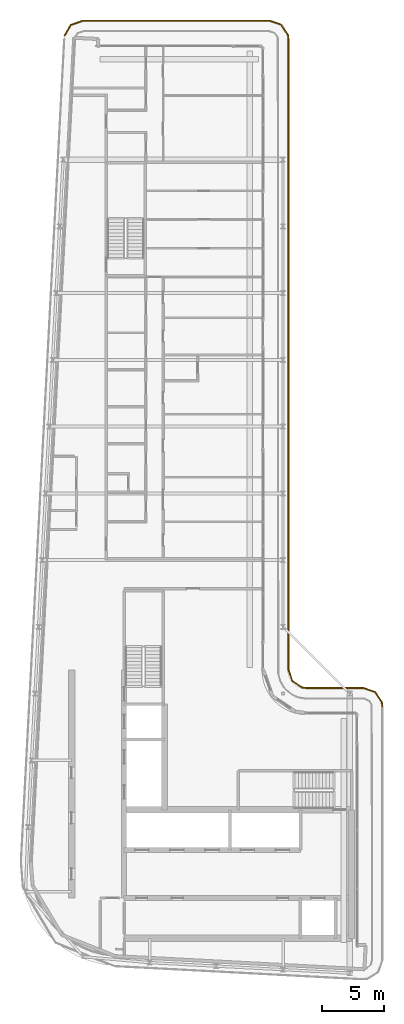
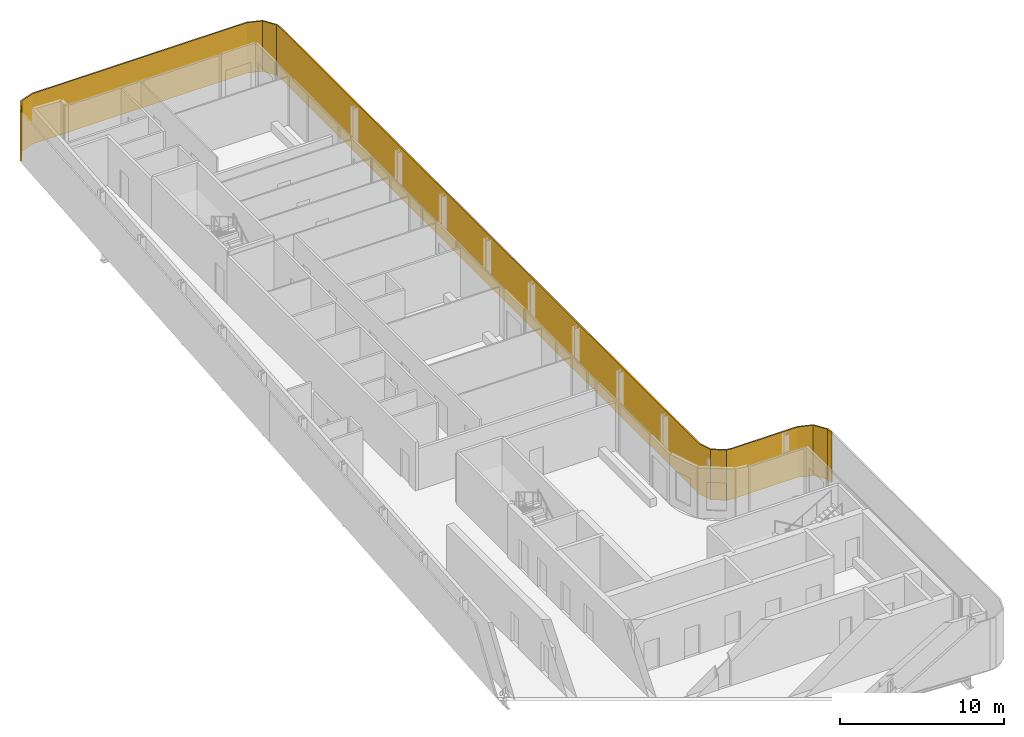
# One storey, part 17 of 18: 1 shading device.
"""IFC4 building model written with IfcOpenShell, lengths in metres."""

import ifcopenshell
import ifcopenshell.guid

model = None  # the IFC model being written
_history = None  # IfcOwnerHistory: only IFC2X3 demands one
_inside = {}  # id of a spatial element -> (the spatial element, [elements in it])
_under = {}  # id of a project, library or spatial element -> (it, [spatial elements below it])
_declared = {}  # id of a project -> (the project, [libraries it declares])
_typed = {}  # id of a type object -> (the type object, [elements of that type])
_made_of = {}  # id of a material, layer set ... -> (it, [elements and type objects made of it])


def new_model(schema):
    """Start an empty IFC model of exactly this schema.

    Asked for "IFC4X3", IfcOpenShell would pick the latest addendum, in which some entities
    have other attributes; the version numbers below select the first issue.
    IFC2X3 requires an IfcOwnerHistory on every rooted entity: one is made here for all.
    """
    global model, _history
    if schema == "IFC4X3":
        model = ifcopenshell.file(schema_version=(4, 3, 0, 0))
    else:
        model = ifcopenshell.file(schema=schema)
    _inside.clear()
    _under.clear()
    _declared.clear()
    _typed.clear()
    _made_of.clear()
    _history = None
    if model.schema == "IFC2X3":
        org = make("IfcOrganization", Name="unknown")
        user = make(
            "IfcPersonAndOrganization",
            ThePerson=make("IfcPerson", FamilyName="unknown"),
            TheOrganization=org,
        )
        app = make(
            "IfcApplication",
            ApplicationDeveloper=org,
            Version="unknown",
            ApplicationFullName="unknown",
            ApplicationIdentifier="unknown",
        )
        _history = make(
            "IfcOwnerHistory",
            OwningUser=user,
            OwningApplication=app,
            ChangeAction="ADDED",
            CreationDate=0,
        )
    return model


def make(cls, **values):
    """One entity of the class cls with the attributes given. An attribute that is None is left unset."""
    return model.create_entity(
        cls, **{name: value for name, value in values.items() if value is not None}
    )


def rooted(cls, **values):
    """An entity with a GlobalId (a new one), such as an element, a storey or a relation."""
    return make(cls, GlobalId=ifcopenshell.guid.new(), OwnerHistory=_history, **values)


def si_unit(unit_type, name, prefix=None):
    """IfcSIUnit, for example si_unit("LENGTHUNIT", "METRE", prefix="MILLI")."""
    return make("IfcSIUnit", UnitType=unit_type, Prefix=prefix, Name=name)


def assignment(units):
    """IfcUnitAssignment: the units of a project."""
    return None if units is None else make("IfcUnitAssignment", Units=units)


def point(xyz):
    """IfcCartesianPoint."""
    return None if xyz is None else make("IfcCartesianPoint", Coordinates=xyz)


def direction(xyz):
    """IfcDirection."""
    return None if xyz is None else make("IfcDirection", DirectionRatios=xyz)


def frame(location, z_axis=None, x_axis=None):
    """IfcAxis2Placement3D, a coordinate frame: its origin and axes. An axis left out is left unset."""
    return make(
        "IfcAxis2Placement3D",
        Location=point(location),
        Axis=direction(z_axis),
        RefDirection=direction(x_axis),
    )


def origin():
    """The frame at (0, 0, 0) with its axes left unset."""
    return frame((0.0, 0.0, 0.0))


def place(relative_to, where):
    """IfcLocalPlacement: puts the frame where relative to a parent placement (None: the world)."""
    return make(
        "IfcLocalPlacement", PlacementRelTo=relative_to, RelativePlacement=where
    )


def context(
    kind, dimensions, precision=None, world=None, true_north=None, identifier=None
):
    """IfcGeometricRepresentationContext, for example the 3D "Model" context."""
    return make(
        "IfcGeometricRepresentationContext",
        ContextIdentifier=identifier,
        ContextType=kind,
        CoordinateSpaceDimension=dimensions,
        Precision=precision,
        WorldCoordinateSystem=world,
        TrueNorth=true_north,
    )


def subcontext(parent, identifier, kind, view, scale=None):
    """IfcGeometricRepresentationSubContext, for example "Body" below "Model"."""
    return make(
        "IfcGeometricRepresentationSubContext",
        ContextIdentifier=identifier,
        ContextType=kind,
        ParentContext=parent,
        TargetScale=scale,
        TargetView=view,
    )


def project(units=None, contexts=None):
    """IfcProject with its units and contexts."""
    return rooted(
        "IfcProject",
        Name="project",
        RepresentationContexts=contexts,
        UnitsInContext=assignment(units),
    )


def spatial(cls, under=None, at=None, **own):
    """A site, building, storey or space (cls), placed at a placement, below another one or the project."""
    s = rooted(cls, ObjectPlacement=at, **own)
    if under is not None:
        _under.setdefault(under.id(), (under, []))[1].append(s)
    return s


def polyline(points):
    """IfcPolyline through the points."""
    return make("IfcPolyline", Points=[point(p) for p in points])


def outline(outer, holes=None, kind="AREA"):
    """IfcArbitraryClosedProfileDef: a profile drawn as a closed curve; with holes, ...WithVoids."""
    if holes is None:
        return make("IfcArbitraryClosedProfileDef", ProfileType=kind, OuterCurve=outer)
    return make(
        "IfcArbitraryProfileDefWithVoids",
        ProfileType=kind,
        OuterCurve=outer,
        InnerCurves=holes,
    )


def extrude(swept, where, along, depth):
    """IfcExtrudedAreaSolid: the profile swept, set in the frame where, extruded along a direction by depth."""
    return make(
        "IfcExtrudedAreaSolid",
        SweptArea=swept,
        Position=where,
        ExtrudedDirection=direction(along),
        Depth=depth,
    )


def shape(context_of_items, identifier, shape_type, items):
    """IfcShapeRepresentation: the items that make up one representation, for example the "Body"."""
    return make(
        "IfcShapeRepresentation",
        ContextOfItems=context_of_items,
        RepresentationIdentifier=identifier,
        RepresentationType=shape_type,
        Items=items,
    )


def material(Name=None, Category=None):
    """IfcMaterial."""
    return make("IfcMaterial", Name=Name, Category=Category)


def layer(
    of_material, thickness, ventilated=None, Name=None, Category=None, Priority=None
):
    """IfcMaterialLayer: one layer of a wall or slab, of a material (None: an air gap)."""
    return make(
        "IfcMaterialLayer",
        Material=of_material,
        LayerThickness=thickness,
        IsVentilated=ventilated,
        Name=Name,
        Category=Category,
        Priority=Priority,
    )


def layer_set(layers, Name=None):
    """IfcMaterialLayerSet."""
    return make("IfcMaterialLayerSet", MaterialLayers=layers, LayerSetName=Name)


def made_of(thing, what):
    """Note that an element or type object is made of a material, layer set ...; save() writes the relation."""
    if what is not None:
        _made_of.setdefault(what.id(), (what, []))[1].append(thing)
    return thing


def type_object(cls, material=None, **own):
    """A type object (cls), such as IfcWallType, which elements share."""
    return made_of(rooted(cls, **own), material)


def element(
    cls,
    number,
    at=None,
    inside=None,
    cuts=None,
    type_object=None,
    material=None,
    context=None,
    identifier="Body",
    shape_type=None,
    held_by="IfcProductDefinitionShape",
    body=None,
    shapes=None,
    **own,
):
    """One element of the class cls, such as IfcWall. Its Tag is "e" and its number.

    at: its placement. inside: the storey or other place that contains it. cuts: it is an
    opening in that element (IfcRelVoidsElement). A single representation is given by context,
    identifier, shape_type and body (its items); several are given by shapes. held_by: the class
    of the entity that holds the representations. save() writes the other relations.
    """
    e = rooted(cls, Tag="e%d" % number, ObjectPlacement=at, **own)
    if body is not None:
        shapes = [shape(context, identifier, shape_type, body)]
    if shapes is not None:
        e.Representation = make(held_by, Representations=shapes)
    if inside is not None:
        _inside.setdefault(inside.id(), (inside, []))[1].append(e)
    if cuts is not None:
        rooted(
            "IfcRelVoidsElement", RelatingBuildingElement=cuts, RelatedOpeningElement=e
        )
    if type_object is not None:
        _typed.setdefault(type_object.id(), (type_object, []))[1].append(e)
    return made_of(e, material)


def aggregate(whole, parts):
    """IfcRelAggregates: a whole, such as a stair, and the parts it consists of."""
    return rooted("IfcRelAggregates", RelatingObject=whole, RelatedObjects=parts)


def save(model, path):
    """Write the relations noted so far, then the file.

    IfcRelAggregates (storeys below a building ...), IfcRelContainedInSpatialStructure (elements
    in a storey), IfcRelDefinesByType, IfcRelAssociatesMaterial and IfcRelDeclares: one each for
    every whole, place, type object, material and project.
    """
    for whole, parts in _under.values():
        aggregate(whole, parts)
    for where, things in _inside.values():
        rooted(
            "IfcRelContainedInSpatialStructure",
            RelatedElements=things,
            RelatingStructure=where,
        )
    for kind, things in _typed.values():
        rooted("IfcRelDefinesByType", RelatedObjects=things, RelatingType=kind)
    for what, things in _made_of.values():
        rooted("IfcRelAssociatesMaterial", RelatedObjects=things, RelatingMaterial=what)
    for by, libraries in _declared.values():
        rooted("IfcRelDeclares", RelatingContext=by, RelatedDefinitions=libraries)
    model.write(path)


model = new_model("IFC4")

# Units and contexts
model_context = context("Model", 3, precision=1e-05, world=origin(), true_north=direction((0.0, 1.0)))
body_context = subcontext(model_context, "Body", "Model", "MODEL_VIEW")
ifc_project = project(units=[si_unit("LENGTHUNIT", "METRE"), si_unit("AREAUNIT", "SQUARE_METRE"), si_unit("VOLUMEUNIT", "CUBIC_METRE"), si_unit("PLANEANGLEUNIT", "RADIAN"), si_unit("MASSUNIT", "GRAM", prefix="KILO")], contexts=[model_context])

# Site, building, storey
site_placement = place(None, origin())
site = spatial("IfcSite", under=ifc_project, at=site_placement, CompositionType="ELEMENT")
building_placement = place(site_placement, origin())
building = spatial("IfcBuilding", under=site, at=building_placement, Name="Kheshtan School and Residences Tower", CompositionType="ELEMENT")
storey_placement = place(building_placement, frame((0.0, 0.0, 385.10009765625)))
storey = spatial("IfcBuildingStorey", under=building, at=storey_placement, Name="L91", CompositionType="ELEMENT", Elevation=385.10009765625)

# Shading device
ifc_material = material(Name="Terracotta lattice, extruded ceramic", Category="masonry")
ifc_layer = layer(ifc_material, 0.10009765625)
ifc_layer_set = layer_set([ifc_layer], Name="Loggia screen, terracotta lattice")
shading_device_type = type_object("IfcShadingDeviceType", Name="Loggia screen, terracotta lattice", PredefinedType="USERDEFINED", material=ifc_layer_set)
shading_device_placement = place(storey_placement, origin())
element("IfcShadingDevice", 1, at=shading_device_placement, inside=storey, type_object=shading_device_type, Name="Screen L91 1", ObjectType="SCREEN", PredefinedType="USERDEFINED", context=body_context, shape_type="SweptSolid", body=[
    extrude(outline(polyline([(29.949951171875, 98.783935546875), (30.468017578125, 99.656982421875), (31.423095703125, 100.0), (46.5, 100.0), (47.4130859375, 99.68994140625), (47.948974609375, 98.887939453125), (48.0, 98.5), (48.0, 47.5), (48.31005859375, 46.5869140625), (49.112060546875, 46.051025390625), (49.5, 46.0), (54.10009765625, 46.0), (55.012939453125, 45.68994140625), (55.549072265625, 44.887939453125), (55.60009765625, 44.5), (55.698974609375, 44.512939453125), (55.64501953125, 44.924072265625), (55.076904296875, 45.77392578125), (54.116943359375, 46.10009765625), (49.507080078125, 46.10009765625), (49.14794921875, 46.14697265625), (48.39404296875, 46.65087890625), (48.10009765625, 47.51708984375), (48.10009765625, 98.507080078125), (48.044921875, 98.924072265625), (47.47705078125, 99.77392578125), (46.51708984375, 100.10009765625), (31.406005859375, 100.10009765625), (30.39990234375, 99.739013671875), (29.864013671875, 98.8349609375), (29.949951171875, 98.783935546875)])), origin(), (0.0, 0.0, 1.0), 3.75),
])

save(model, "model.ifc")
